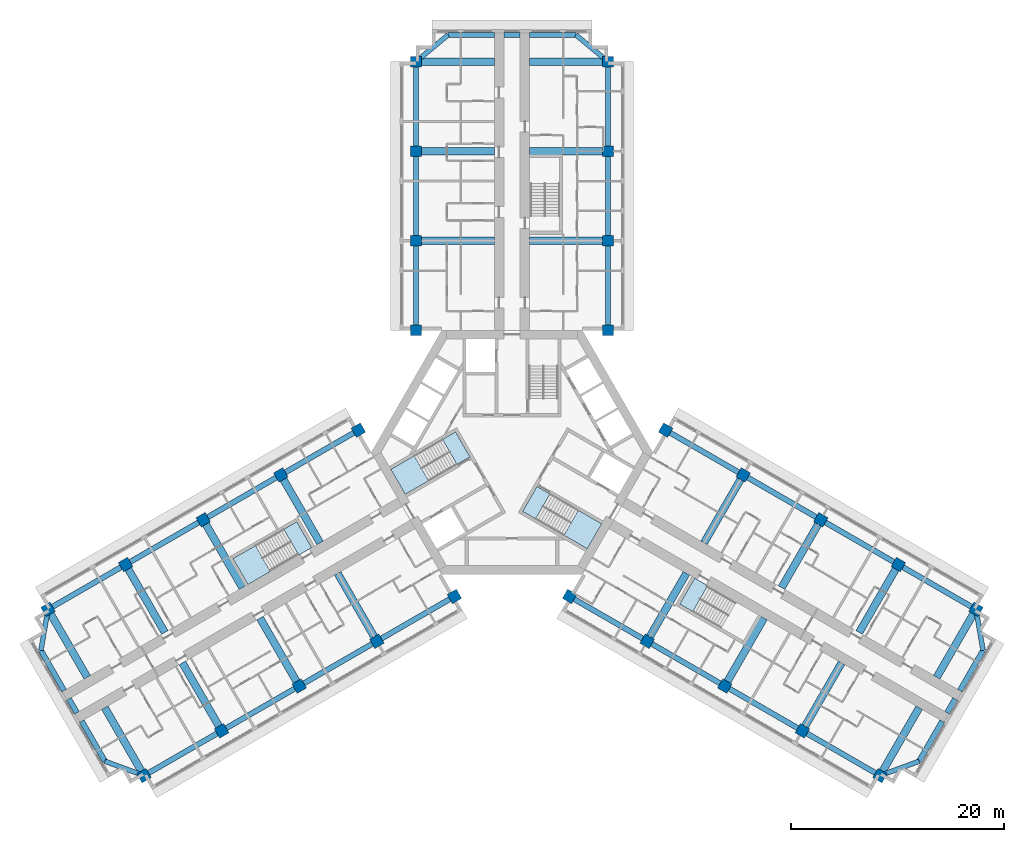
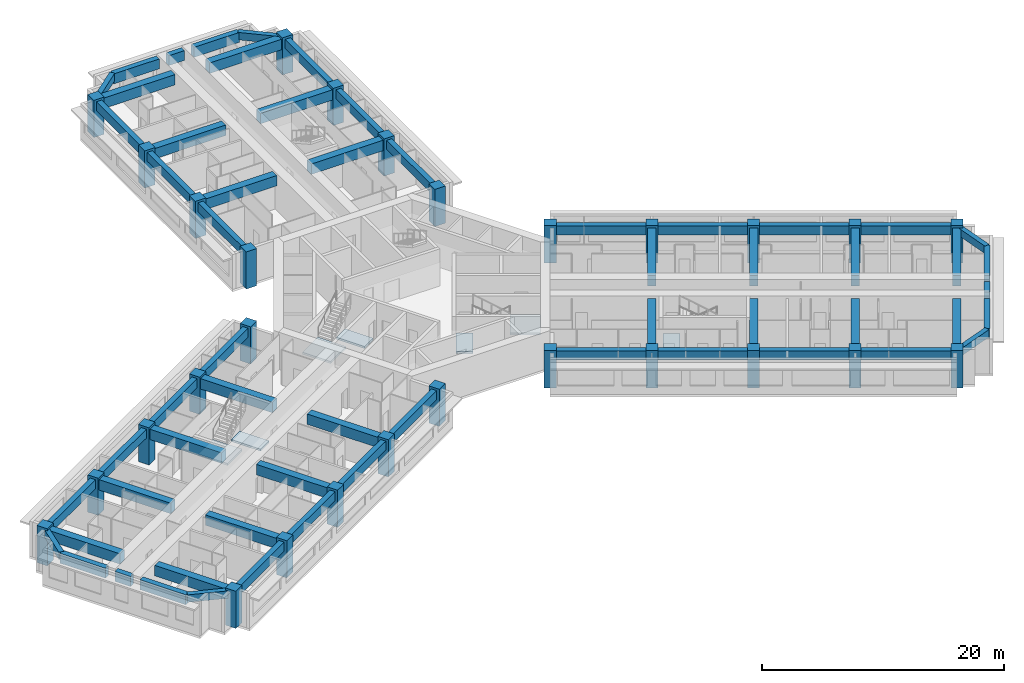
# One storey, part 1 of 15: 59 beams, 28 columns, 7 slabs, 4 elements without a shape of their own.
"""IFC4 building model written with IfcOpenShell, lengths in metres."""

from ifc_helpers import new_model, si_unit, direction, frame, origin, origin_2d, place, context, subcontext, project, spatial, polyline, rectangle, outline, extrude, material, layer, layer_set, material_profile, profile_set, type_object, element, aggregate, save


model = new_model("IFC4")

# Units and contexts
model_context = context("Model", 3, precision=1e-05, world=origin(), true_north=direction((0.0, 1.0)))
body_context = subcontext(model_context, "Body", "Model", "MODEL_VIEW")
ifc_project = project(units=[si_unit("LENGTHUNIT", "METRE"), si_unit("AREAUNIT", "SQUARE_METRE"), si_unit("VOLUMEUNIT", "CUBIC_METRE"), si_unit("PLANEANGLEUNIT", "RADIAN"), si_unit("MASSUNIT", "GRAM", prefix="KILO")], contexts=[model_context])

# Site, building, storey
site_placement = place(None, origin())
site = spatial("IfcSite", under=ifc_project, at=site_placement, CompositionType="ELEMENT")
building_placement = place(site_placement, origin())
building = spatial("IfcBuilding", under=site, at=building_placement, Name="Impinga Residences", CompositionType="ELEMENT")
storey_placement = place(building_placement, frame((0.0, 0.0, 109.75)))
storey = spatial("IfcBuildingStorey", under=building, at=storey_placement, Name="L26", CompositionType="ELEMENT", Elevation=109.75)

# Columns
ifc_material_1 = material(Name="Concrete C60/75", Category="concrete")
ifc_material_profile_1 = material_profile(ifc_material_1, rectangle(XDim=1.0, YDim=1.0, at=origin_2d()), Name="RC 1000x1000")
ifc_profile_set_1 = profile_set([ifc_material_profile_1], Name="Concrete C60/75")
column_type = type_object("IfcColumnType", Name="C3 1000x1000 column", PredefinedType="COLUMN", material=ifc_profile_set_1)
for number, where, z_axis, x_axis, name in (
    (1, (-9.0, 11.431640625, 0.0), (0.0, 0.0, 1.0), (1.0, 0.0, 0.0), "Column C3 N1/NA L26"),
    (2, (9.0, 11.431640625, 0.0), (0.0, 0.0, 1.0), (1.0, 0.0, 0.0), "Column C3 N1/NF L26"),
    (3, (-9.0, 19.83154296875, 0.0), (0.0, 0.0, 1.0), (1.0, 0.0, 0.0), "Column C3 N2/NA L26"),
    (4, (9.0, 19.83154296875, 0.0), (0.0, 0.0, 1.0), (1.0, 0.0, 0.0), "Column C3 N2/NF L26"),
    (5, (-9.0, 28.2314453125, 0.0), (0.0, 0.0, 1.0), (1.0, 0.0, 0.0), "Column C3 N3/NA L26"),
    (6, (9.0, 28.2314453125, 0.0), (0.0, 0.0, 1.0), (1.0, 0.0, 0.0), "Column C3 N3/NF L26"),
    (7, (-9.0, 36.631591796875, 0.0), (0.0, 0.0, 1.0), (1.0, 0.0, 0.0), "Column C3 N4/NA L26"),
    (8, (9.0, 36.631591796875, 0.0), (0.0, 0.0, 1.0), (1.0, 0.0, 0.0), "Column C3 N4/NF L26"),
    (9, (-5.39990234375, -13.510009765625, 0.0), (0.0, 0.0, 1.0), (-0.5, 0.866025403784, 0.0), "Column C3 W1/WA L26"),
    (10, (-14.39990234375, 2.078369140625, 0.0), (0.0, 0.0, 1.0), (-0.5, 0.866025403784, 0.0), "Column C3 W1/WF L26"),
    (11, (-12.674560546875, -17.7099609375, 0.0), (0.0, 0.0, 1.0), (-0.5, 0.866025403784, 0.0), "Column C3 W2/WA L26"),
    (12, (-21.674560546875, -2.12158203125, 0.0), (0.0, 0.0, 1.0), (-0.5, 0.866025403784, 0.0), "Column C3 W2/WF L26"),
    (13, (-19.94921875, -21.909912109375, 0.0), (0.0, 0.0, 1.0), (-0.5, 0.866025403784, 0.0), "Column C3 W3/WA L26"),
    (14, (-28.94921875, -6.321533203125, 0.0), (0.0, 0.0, 1.0), (-0.5, 0.866025403784, 0.0), "Column C3 W3/WF L26"),
    (15, (-27.223876953125, -26.110107421875, 0.0), (0.0, 0.0, 1.0), (-0.5, 0.866025403784, 0.0), "Column C3 W4/WA L26"),
    (16, (-36.223876953125, -10.521484375, 0.0), (0.0, 0.0, 1.0), (-0.5, 0.866025403784, 0.0), "Column C3 W4/WF L26"),
    (17, (-34.49853515625, -30.31005859375, 0.0), (0.0, 0.0, 1.0), (-0.5, 0.866025403784, 0.0), "Column C3 W5/WA L26"),
    (18, (-43.49853515625, -14.721435546875, 0.0), (0.0, 0.0, 1.0), (-0.5, 0.866025403784, 0.0), "Column C3 W5/WF L26"),
    (19, (14.39990234375, 2.078369140625, 0.0), (0.0, 0.0, 1.0), (-0.5, -0.866025403784, 0.0), "Column C3 E1/EA L26"),
    (20, (5.39990234375, -13.510009765625, 0.0), (0.0, 0.0, 1.0), (-0.5, -0.866025403784, 0.0), "Column C3 E1/EF L26"),
    (21, (21.674560546875, -2.12158203125, 0.0), (0.0, 0.0, 1.0), (-0.5, -0.866025403784, 0.0), "Column C3 E2/EA L26"),
    (22, (12.674560546875, -17.7099609375, 0.0), (0.0, 0.0, 1.0), (-0.5, -0.866025403784, 0.0), "Column C3 E2/EF L26"),
    (23, (28.94921875, -6.321533203125, 0.0), (0.0, 0.0, 1.0), (-0.5, -0.866025403784, 0.0), "Column C3 E3/EA L26"),
    (24, (19.94921875, -21.909912109375, 0.0), (0.0, 0.0, 1.0), (-0.5, -0.866025403784, 0.0), "Column C3 E3/EF L26"),
    (25, (36.223876953125, -10.521484375, 0.0), (0.0, 0.0, 1.0), (-0.5, -0.866025403784, 0.0), "Column C3 E4/EA L26"),
    (26, (27.223876953125, -26.110107421875, 0.0), (0.0, 0.0, 1.0), (-0.5, -0.866025403784, 0.0), "Column C3 E4/EF L26"),
    (27, (43.49853515625, -14.721435546875, 0.0), (0.0, 0.0, 1.0), (-0.5, -0.866025403784, 0.0), "Column C3 E5/EA L26"),
    (28, (34.49853515625, -30.31005859375, 0.0), (0.0, 0.0, 1.0), (-0.5, -0.866025403784, 0.0), "Column C3 E5/EF L26"),
):
    element("IfcColumn", number, at=place(storey_placement, frame(where, z_axis=z_axis, x_axis=x_axis)), inside=storey, type_object=column_type, Name=name, PredefinedType="COLUMN", context=body_context, shape_type="SweptSolid", body=[
        extrude(rectangle(XDim=1.0, YDim=1.0, at=origin_2d()), origin(), (0.0, 0.0, 1.0), 3.75),
    ])

# Beams
ifc_material_profile_2 = material_profile(ifc_material_1, rectangle(XDim=0.449951171875, YDim=0.75, at=origin_2d()), Name="RC 450x750")
ifc_profile_set_2 = profile_set([ifc_material_profile_2], Name="Concrete C60/75")
beam_type_1 = type_object("IfcBeamType", Name="CB1 450x750 wing end cantilever beam", PredefinedType="BEAM", material=ifc_profile_set_2)
for number, where, z_axis, x_axis, name in (
    (29, (-9.0, 36.631591796875, 3.155029296875), (0.768221279597, 0.640184399664, 0.0), (-0.640184399664, 0.768221279597, 0.0), "Beam CB1 NB N4-NX level L27"),
    (30, (9.0, 36.631591796875, 3.155029296875), (-0.768221279597, 0.640184399664, 0.0), (-0.640184399664, -0.768221279597, 0.0), "Beam CB1 NE N4-NX level L27"),
    (31, (-34.49853515625, -30.31005859375, 3.155029296875), (-0.938520178725, 0.345224382289, 0.0), (-0.345224382289, -0.938520178725, 0.0), "Beam CB1 WB W5-WX level L27"),
):
    element("IfcBeam", number, at=place(storey_placement, frame(where, z_axis=z_axis, x_axis=x_axis)), inside=storey, type_object=beam_type_1, Name=name, PredefinedType="BEAM", context=body_context, shape_type="SweptSolid", body=[
        extrude(rectangle(XDim=0.449951171875, YDim=0.75, at=origin_2d()), origin(), (0.0, 0.0, 1.0), 3.905029296875),
    ])
for number, where, z_axis, x_axis, name in (
    (32, (-43.49853515625, -14.721435546875, 3.155029296875), (-0.170296298948, -0.985392901621, 0.0), (0.985392901621, -0.170296298948, 0.0), "Beam CB1 WE W5-WX level L27"),
    (33, (43.49853515625, -14.721435546875, 3.155029296875), (0.170296298948, -0.985392901621, 0.0), (0.985392901621, 0.170296298948, 0.0), "Beam CB1 EB E5-EX level L27"),
):
    element("IfcBeam", number, at=place(storey_placement, frame(where, z_axis=z_axis, x_axis=x_axis)), inside=storey, type_object=beam_type_1, Name=name, PredefinedType="BEAM", context=body_context, shape_type="SweptSolid", body=[
        extrude(rectangle(XDim=0.449951171875, YDim=0.75, at=origin_2d()), origin(), (0.0, 0.0, 1.0), 3.9052734375),
    ])
beam_1_placement = place(storey_placement, frame((34.49853515625, -30.31005859375, 3.155029296875), z_axis=(0.938520178725, 0.345224382289, 0.0), x_axis=(-0.345224382289, 0.938520178725, 0.0)))
element("IfcBeam", 34, at=beam_1_placement, inside=storey, type_object=beam_type_1, Name="Beam CB1 EE E5-EX level L27", PredefinedType="BEAM", context=body_context, shape_type="SweptSolid", body=[
    extrude(rectangle(XDim=0.449951171875, YDim=0.75, at=origin_2d()), origin(), (0.0, 0.0, 1.0), 3.905029296875),
])
ifc_material_profile_3 = material_profile(ifc_material_1, rectangle(XDim=0.699951171875, YDim=1.050048828125, at=origin_2d()), Name="RC 700x1050")
ifc_profile_set_3 = profile_set([ifc_material_profile_3], Name="Concrete C60/75")
beam_type_2 = type_object("IfcBeamType", Name="CG1 700x1050 cross girder on a wing bay line", PredefinedType="BEAM", material=ifc_profile_set_3)
for number, where, z_axis, x_axis, name in (
    (35, (-1.64990234375, 19.83154296875, 3.0048828125), (-1.0, 0.0, 0.0), (0.0, -1.0, 0.0), "Beam CG1 N2 NC/NA level L27"),
    (36, (-1.64990234375, 28.2314453125, 3.0048828125), (-1.0, 0.0, 0.0), (0.0, -1.0, 0.0), "Beam CG1 N3 NC/NA level L27"),
    (37, (-1.64990234375, 36.631591796875, 3.0048828125), (-1.0, 0.0, 0.0), (0.0, -1.0, 0.0), "Beam CG1 N4 NC/NA level L27"),
    (38, (1.64990234375, 19.83154296875, 3.0048828125), (1.0, 0.0, 0.0), (0.0, 1.0, 0.0), "Beam CG1 N2 NC/NF level L27"),
    (39, (1.64990234375, 28.2314453125, 3.0048828125), (1.0, 0.0, 0.0), (0.0, 1.0, 0.0), "Beam CG1 N3 NC/NF level L27"),
    (40, (1.64990234375, 36.631591796875, 3.0048828125), (1.0, 0.0, 0.0), (0.0, 1.0, 0.0), "Beam CG1 N4 NC/NF level L27"),
    (41, (-16.349609375, -11.3447265625, 3.0048828125), (0.500008066151, -0.86602074674, 0.0), (0.86602074674, 0.500008066151, 0.0), "Beam CG1 W2 WC/WA level L27"),
    (42, (-23.624267578125, -15.544677734375, 3.0048828125), (0.500008066151, -0.86602074674, 0.0), (0.86602074674, 0.500008066151, 0.0), "Beam CG1 W3 WC/WA level L27"),
    (43, (-30.89892578125, -19.74462890625, 3.0048828125), (0.499993683172, -0.866029050776, 0.0), (0.866029050776, 0.499993683172, 0.0), "Beam CG1 W4 WC/WA level L27"),
):
    element("IfcBeam", number, at=place(storey_placement, frame(where, z_axis=z_axis, x_axis=x_axis)), inside=storey, type_object=beam_type_2, Name=name, PredefinedType="BEAM", context=body_context, shape_type="SweptSolid", body=[
        extrude(rectangle(XDim=0.699951171875, YDim=1.050048828125, at=origin_2d()), origin(), (0.0, 0.0, 1.0), 7.35009765625),
    ])
beam_2_placement = place(storey_placement, frame((-38.17333984375, -23.94482421875, 3.0048828125), z_axis=(0.499983153418, -0.866035129944, 0.0), x_axis=(0.866035129944, 0.499983153418, 0.0)))
element("IfcBeam", 44, at=beam_2_placement, inside=storey, type_object=beam_type_2, Name="Beam CG1 W5 WC/WA level L27", PredefinedType="BEAM", context=body_context, shape_type="SweptSolid", body=[
    extrude(rectangle(XDim=0.699951171875, YDim=1.050048828125, at=origin_2d()), origin(), (0.0, 0.0, 1.0), 7.349853515625),
])
for number, where, z_axis, x_axis, name in (
    (45, (-17.99951171875, -8.48681640625, 3.0048828125), (-0.500008066151, 0.86602074674, 0.0), (-0.86602074674, -0.500008066151, 0.0), "Beam CG1 W2 WC/WF level L27"),
    (46, (-25.274169921875, -12.686767578125, 3.0048828125), (-0.500008066151, 0.86602074674, 0.0), (-0.86602074674, -0.500008066151, 0.0), "Beam CG1 W3 WC/WF level L27"),
    (47, (-32.548828125, -16.88671875, 3.0048828125), (-0.500008066151, 0.86602074674, 0.0), (-0.86602074674, -0.500008066151, 0.0), "Beam CG1 W4 WC/WF level L27"),
    (48, (-39.823486328125, -21.0869140625, 3.0048828125), (-0.499993683172, 0.866029050776, 0.0), (-0.866029050776, -0.499993683172, 0.0), "Beam CG1 W5 WC/WF level L27"),
    (49, (17.99951171875, -8.48681640625, 3.0048828125), (0.500008066151, 0.86602074674, 0.0), (-0.86602074674, 0.500008066151, 0.0), "Beam CG1 E2 EC/EA level L27"),
    (50, (25.274169921875, -12.686767578125, 3.0048828125), (0.500008066151, 0.86602074674, 0.0), (-0.86602074674, 0.500008066151, 0.0), "Beam CG1 E3 EC/EA level L27"),
    (51, (32.548828125, -16.88671875, 3.0048828125), (0.500008066151, 0.86602074674, 0.0), (-0.86602074674, 0.500008066151, 0.0), "Beam CG1 E4 EC/EA level L27"),
    (52, (39.823486328125, -21.0869140625, 3.0048828125), (0.499993683172, 0.866029050776, 0.0), (-0.866029050776, 0.499993683172, 0.0), "Beam CG1 E5 EC/EA level L27"),
    (53, (16.349609375, -11.3447265625, 3.0048828125), (-0.500008066151, -0.86602074674, 0.0), (0.86602074674, -0.500008066151, 0.0), "Beam CG1 E2 EC/EF level L27"),
    (54, (23.624267578125, -15.544677734375, 3.0048828125), (-0.500008066151, -0.86602074674, 0.0), (0.86602074674, -0.500008066151, 0.0), "Beam CG1 E3 EC/EF level L27"),
    (55, (30.89892578125, -19.74462890625, 3.0048828125), (-0.499993683172, -0.866029050776, 0.0), (0.866029050776, -0.499993683172, 0.0), "Beam CG1 E4 EC/EF level L27"),
):
    element("IfcBeam", number, at=place(storey_placement, frame(where, z_axis=z_axis, x_axis=x_axis)), inside=storey, type_object=beam_type_2, Name=name, PredefinedType="BEAM", context=body_context, shape_type="SweptSolid", body=[
        extrude(rectangle(XDim=0.699951171875, YDim=1.050048828125, at=origin_2d()), origin(), (0.0, 0.0, 1.0), 7.35009765625),
    ])
beam_3_placement = place(storey_placement, frame((38.17333984375, -23.94482421875, 3.0048828125), z_axis=(-0.499983153418, -0.866035129944, 0.0), x_axis=(0.866035129944, -0.499983153418, 0.0)))
element("IfcBeam", 56, at=beam_3_placement, inside=storey, type_object=beam_type_2, Name="Beam CG1 E5 EC/EF level L27", PredefinedType="BEAM", context=body_context, shape_type="SweptSolid", body=[
    extrude(rectangle(XDim=0.699951171875, YDim=1.050048828125, at=origin_2d()), origin(), (0.0, 0.0, 1.0), 7.349853515625),
])
ifc_material_profile_4 = material_profile(ifc_material_1, rectangle(XDim=0.5, YDim=1.0, at=origin_2d()), Name="RC 500x1000")
ifc_profile_set_4 = profile_set([ifc_material_profile_4], Name="Concrete C60/75")
beam_type_3 = type_object("IfcBeamType", Name="EB1 500x1000 wing end beam", PredefinedType="BEAM", material=ifc_profile_set_4)
beam_4_placement = place(storey_placement, frame((-6.0, 39.131591796875, 3.030029296875), z_axis=(1.0, 0.0, 0.0), x_axis=(0.0, 1.0, 0.0)))
element("IfcBeam", 57, at=beam_4_placement, inside=storey, type_object=beam_type_3, Name="Beam EB1 NX3 level L27", PredefinedType="BEAM", context=body_context, shape_type="SweptSolid", body=[
    extrude(rectangle(XDim=0.5, YDim=1.0, at=origin_2d()), origin(), (0.0, 0.0, 1.0), 4.35009765625),
])
beam_5_placement = place(storey_placement, frame((-0.75, 39.131591796875, 3.030029296875), z_axis=(1.0, 0.0, 0.0), x_axis=(0.0, 1.0, 0.0)))
element("IfcBeam", 58, at=beam_5_placement, inside=storey, type_object=beam_type_3, Name="Beam EB1 NX3 level L27", PredefinedType="BEAM", context=body_context, shape_type="SweptSolid", body=[
    extrude(rectangle(XDim=0.5, YDim=1.0, at=origin_2d()), origin(), (0.0, 0.0, 1.0), 1.5),
])
beam_6_placement = place(storey_placement, frame((1.64990234375, 39.131591796875, 3.030029296875), z_axis=(1.0, 0.0, 0.0), x_axis=(0.0, 1.0, 0.0)))
element("IfcBeam", 59, at=beam_6_placement, inside=storey, type_object=beam_type_3, Name="Beam EB1 NX3 level L27", PredefinedType="BEAM", context=body_context, shape_type="SweptSolid", body=[
    extrude(rectangle(XDim=0.5, YDim=1.0, at=origin_2d()), origin(), (0.0, 0.0, 1.0), 4.35009765625),
])
beam_7_placement = place(storey_placement, frame((-38.16357421875, -28.9619140625, 3.030029296875), z_axis=(-0.500020430026, 0.866013608182, 0.0), x_axis=(-0.866013608182, -0.500020430026, 0.0)))
element("IfcBeam", 60, at=beam_7_placement, inside=storey, type_object=beam_type_3, Name="Beam EB1 WX4 level L27", PredefinedType="BEAM", context=body_context, shape_type="SweptSolid", body=[
    extrude(rectangle(XDim=0.5, YDim=1.0, at=origin_2d()), origin(), (0.0, 0.0, 1.0), 4.349853515625),
])
beam_8_placement = place(storey_placement, frame((-40.78857421875, -24.415283203125, 3.030029296875), z_axis=(-0.499990139034, 0.866031096941, 0.0), x_axis=(-0.866031096941, -0.499990139034, 0.0)))
element("IfcBeam", 61, at=beam_8_placement, inside=storey, type_object=beam_type_3, Name="Beam EB1 WX4 level L27", PredefinedType="BEAM", context=body_context, shape_type="SweptSolid", body=[
    extrude(rectangle(XDim=0.5, YDim=1.0, at=origin_2d()), origin(), (0.0, 0.0, 1.0), 1.5),
])
for number, where, z_axis, x_axis, name in (
    (62, (-41.988525390625, -22.3369140625, 3.030029296875), (-0.499996127374, 0.866027639635, 0.0), (-0.866027639635, -0.499996127374, 0.0), "Beam EB1 WX4 level L27"),
    (63, (44.16357421875, -18.569580078125, 3.030029296875), (-0.499996127374, -0.866027639635, 0.0), (0.866027639635, -0.499996127374, 0.0), "Beam EB1 EX4 level L27"),
):
    element("IfcBeam", number, at=place(storey_placement, frame(where, z_axis=z_axis, x_axis=x_axis)), inside=storey, type_object=beam_type_3, Name=name, PredefinedType="BEAM", context=body_context, shape_type="SweptSolid", body=[
        extrude(rectangle(XDim=0.5, YDim=1.0, at=origin_2d()), origin(), (0.0, 0.0, 1.0), 4.35009765625),
    ])
beam_9_placement = place(storey_placement, frame((41.53857421875, -23.1162109375, 3.030029296875), z_axis=(-0.499990139034, -0.866031096941, 0.0), x_axis=(0.866031096941, -0.499990139034, 0.0)))
element("IfcBeam", 64, at=beam_9_placement, inside=storey, type_object=beam_type_3, Name="Beam EB1 EX4 level L27", PredefinedType="BEAM", context=body_context, shape_type="SweptSolid", body=[
    extrude(rectangle(XDim=0.5, YDim=1.0, at=origin_2d()), origin(), (0.0, 0.0, 1.0), 1.5),
])
beam_10_placement = place(storey_placement, frame((40.338623046875, -25.19482421875, 3.030029296875), z_axis=(-0.500020430026, -0.866013608182, 0.0), x_axis=(0.866013608182, -0.500020430026, 0.0)))
element("IfcBeam", 65, at=beam_10_placement, inside=storey, type_object=beam_type_3, Name="Beam EB1 EX4 level L27", PredefinedType="BEAM", context=body_context, shape_type="SweptSolid", body=[
    extrude(rectangle(XDim=0.5, YDim=1.0, at=origin_2d()), origin(), (0.0, 0.0, 1.0), 4.349853515625),
])
ifc_material_profile_5 = material_profile(ifc_material_1, rectangle(XDim=0.5, YDim=0.89990234375, at=origin_2d()), Name="RC 500x900")
ifc_profile_set_5 = profile_set([ifc_material_profile_5], Name="Concrete C60/75")
beam_type_4 = type_object("IfcBeamType", Name="SB1 500x900 perimeter spandrel beam", PredefinedType="SPANDREL", material=ifc_profile_set_5)
for number, where, z_axis, x_axis, name in (
    (66, (-9.0, 11.431640625, 3.080078125), (0.0, 1.0, 0.0), (-1.0, 0.0, 0.0), "Beam SB1 NA N1-N2 level L27"),
    (67, (-9.0, 19.83154296875, 3.080078125), (0.0, 1.0, 0.0), (-1.0, 0.0, 0.0), "Beam SB1 NA N2-N3 level L27"),
):
    element("IfcBeam", number, at=place(storey_placement, frame(where, z_axis=z_axis, x_axis=x_axis)), inside=storey, type_object=beam_type_4, Name=name, PredefinedType="SPANDREL", context=body_context, shape_type="SweptSolid", body=[
        extrude(rectangle(XDim=0.5, YDim=0.89990234375, at=origin_2d()), origin(), (0.0, 0.0, 1.0), 8.39990234375),
    ])
beam_11_placement = place(storey_placement, frame((-9.0, 28.2314453125, 3.080078125), z_axis=(0.0, 1.0, 0.0), x_axis=(-1.0, 0.0, 0.0)))
element("IfcBeam", 68, at=beam_11_placement, inside=storey, type_object=beam_type_4, Name="Beam SB1 NA N3-N4 level L27", PredefinedType="SPANDREL", context=body_context, shape_type="SweptSolid", body=[
    extrude(rectangle(XDim=0.5, YDim=0.89990234375, at=origin_2d()), origin(), (0.0, 0.0, 1.0), 8.400146484375),
])
for number, where, z_axis, x_axis, name in (
    (69, (9.0, 11.431640625, 3.080078125), (0.0, 1.0, 0.0), (-1.0, 0.0, 0.0), "Beam SB1 NF N1-N2 level L27"),
    (70, (9.0, 19.83154296875, 3.080078125), (0.0, 1.0, 0.0), (-1.0, 0.0, 0.0), "Beam SB1 NF N2-N3 level L27"),
):
    element("IfcBeam", number, at=place(storey_placement, frame(where, z_axis=z_axis, x_axis=x_axis)), inside=storey, type_object=beam_type_4, Name=name, PredefinedType="SPANDREL", context=body_context, shape_type="SweptSolid", body=[
        extrude(rectangle(XDim=0.5, YDim=0.89990234375, at=origin_2d()), origin(), (0.0, 0.0, 1.0), 8.39990234375),
    ])
beam_12_placement = place(storey_placement, frame((9.0, 28.2314453125, 3.080078125), z_axis=(0.0, 1.0, 0.0), x_axis=(-1.0, 0.0, 0.0)))
element("IfcBeam", 71, at=beam_12_placement, inside=storey, type_object=beam_type_4, Name="Beam SB1 NF N3-N4 level L27", PredefinedType="SPANDREL", context=body_context, shape_type="SweptSolid", body=[
    extrude(rectangle(XDim=0.5, YDim=0.89990234375, at=origin_2d()), origin(), (0.0, 0.0, 1.0), 8.400146484375),
])
for number, where, z_axis, x_axis, name in (
    (72, (-5.39990234375, -13.510009765625, 3.080078125), (-0.86602925447, -0.499993330357, 0.0), (0.499993330357, -0.86602925447, 0.0), "Beam SB1 WA W1-W2 level L27"),
    (73, (-12.674560546875, -17.7099609375, 3.080078125), (-0.86602925447, -0.499993330357, 0.0), (0.499993330357, -0.86602925447, 0.0), "Beam SB1 WA W2-W3 level L27"),
):
    element("IfcBeam", number, at=place(storey_placement, frame(where, z_axis=z_axis, x_axis=x_axis)), inside=storey, type_object=beam_type_4, Name=name, PredefinedType="SPANDREL", context=body_context, shape_type="SweptSolid", body=[
        extrude(rectangle(XDim=0.5, YDim=0.89990234375, at=origin_2d()), origin(), (0.0, 0.0, 1.0), 8.39990234375),
    ])
beam_13_placement = place(storey_placement, frame((-19.94921875, -21.909912109375, 3.080078125), z_axis=(-0.866016669275, -0.500015128309, 0.0), x_axis=(0.500015128309, -0.866016669275, 0.0)))
element("IfcBeam", 74, at=beam_13_placement, inside=storey, type_object=beam_type_4, Name="Beam SB1 WA W3-W4 level L27", PredefinedType="SPANDREL", context=body_context, shape_type="SweptSolid", body=[
    extrude(rectangle(XDim=0.5, YDim=0.89990234375, at=origin_2d()), origin(), (0.0, 0.0, 1.0), 8.400146484375),
])
for number, where, z_axis, x_axis, name in (
    (75, (-27.223876953125, -26.110107421875, 3.080078125), (-0.86602925447, -0.499993330357, 0.0), (0.499993330357, -0.86602925447, 0.0), "Beam SB1 WA W4-W5 level L27"),
    (76, (-14.39990234375, 2.078369140625, 3.080078125), (-0.86602925447, -0.499993330357, 0.0), (0.499993330357, -0.86602925447, 0.0), "Beam SB1 WF W1-W2 level L27"),
    (77, (-21.674560546875, -2.12158203125, 3.080078125), (-0.86602925447, -0.499993330357, 0.0), (0.499993330357, -0.86602925447, 0.0), "Beam SB1 WF W2-W3 level L27"),
    (78, (-28.94921875, -6.321533203125, 3.080078125), (-0.86602925447, -0.499993330357, 0.0), (0.499993330357, -0.86602925447, 0.0), "Beam SB1 WF W3-W4 level L27"),
    (79, (-36.223876953125, -10.521484375, 3.080078125), (-0.86602925447, -0.499993330357, 0.0), (0.499993330357, -0.86602925447, 0.0), "Beam SB1 WF W4-W5 level L27"),
    (80, (14.39990234375, 2.078369140625, 3.080078125), (0.86602925447, -0.499993330357, 0.0), (0.499993330357, 0.86602925447, 0.0), "Beam SB1 EA E1-E2 level L27"),
    (81, (21.674560546875, -2.12158203125, 3.080078125), (0.86602925447, -0.499993330357, 0.0), (0.499993330357, 0.86602925447, 0.0), "Beam SB1 EA E2-E3 level L27"),
    (82, (28.94921875, -6.321533203125, 3.080078125), (0.86602925447, -0.499993330357, 0.0), (0.499993330357, 0.86602925447, 0.0), "Beam SB1 EA E3-E4 level L27"),
    (83, (36.223876953125, -10.521484375, 3.080078125), (0.86602925447, -0.499993330357, 0.0), (0.499993330357, 0.86602925447, 0.0), "Beam SB1 EA E4-E5 level L27"),
    (84, (5.39990234375, -13.510009765625, 3.080078125), (0.86602925447, -0.499993330357, 0.0), (0.499993330357, 0.86602925447, 0.0), "Beam SB1 EF E1-E2 level L27"),
    (85, (12.674560546875, -17.7099609375, 3.080078125), (0.86602925447, -0.499993330357, 0.0), (0.499993330357, 0.86602925447, 0.0), "Beam SB1 EF E2-E3 level L27"),
):
    element("IfcBeam", number, at=place(storey_placement, frame(where, z_axis=z_axis, x_axis=x_axis)), inside=storey, type_object=beam_type_4, Name=name, PredefinedType="SPANDREL", context=body_context, shape_type="SweptSolid", body=[
        extrude(rectangle(XDim=0.5, YDim=0.89990234375, at=origin_2d()), origin(), (0.0, 0.0, 1.0), 8.39990234375),
    ])
beam_14_placement = place(storey_placement, frame((19.94921875, -21.909912109375, 3.080078125), z_axis=(0.866016669275, -0.500015128309, 0.0), x_axis=(0.500015128309, 0.866016669275, 0.0)))
element("IfcBeam", 86, at=beam_14_placement, inside=storey, type_object=beam_type_4, Name="Beam SB1 EF E3-E4 level L27", PredefinedType="SPANDREL", context=body_context, shape_type="SweptSolid", body=[
    extrude(rectangle(XDim=0.5, YDim=0.89990234375, at=origin_2d()), origin(), (0.0, 0.0, 1.0), 8.400146484375),
])
beam_15_placement = place(storey_placement, frame((27.223876953125, -26.110107421875, 3.080078125), z_axis=(0.86602925447, -0.499993330357, 0.0), x_axis=(0.499993330357, 0.86602925447, 0.0)))
element("IfcBeam", 87, at=beam_15_placement, inside=storey, type_object=beam_type_4, Name="Beam SB1 EF E4-E5 level L27", PredefinedType="SPANDREL", context=body_context, shape_type="SweptSolid", body=[
    extrude(rectangle(XDim=0.5, YDim=0.89990234375, at=origin_2d()), origin(), (0.0, 0.0, 1.0), 8.39990234375),
])

# Stair, slabs
ifc_material_2 = material(Name="Concrete C40/50", Category="concrete")
stair_type_1 = type_object("IfcStairType", Name="STR core stair 3750 storey, 24 risers", PredefinedType="HALF_TURN_STAIR", material=ifc_material_2)
stair_1_placement = place(storey_placement, origin())
stair_1 = element("IfcStair", 88, at=stair_1_placement, inside=storey, type_object=stair_type_1, Name="Stair ST2 L26", PredefinedType="HALF_TURN_STAIR")
ifc_layer = layer(ifc_material_2, 0.199951171875)
ifc_layer_set = layer_set([ifc_layer], Name="Concrete C40/50")
slab_type = type_object("IfcSlabType", Name="LS1 stair landing 200", PredefinedType="LANDING", material=ifc_layer_set)
slab_1_placement = place(storey_placement, frame((0.0, 0.0, -0.199951171875)))
slab_1 = element("IfcSlab", 89, at=slab_1_placement, type_object=slab_type, Name="ST2 landing 1", PredefinedType="LANDING", context=body_context, shape_type="SweptSolid", body=[
    extrude(outline(polyline([(-3.943603515625, -0.429443359375), (-5.293701171875, 1.908935546875), (-6.5146484375, 1.203857421875), (-5.164794921875, -1.13427734375), (-3.943603515625, -0.429443359375)])), origin(), (0.0, 0.0, 1.0), 0.199951171875),
])
slab_2_placement = place(storey_placement, frame((0.0, 0.0, 1.675048828125)))
slab_2 = element("IfcSlab", 90, at=slab_2_placement, type_object=slab_type, Name="ST2 landing 2", PredefinedType="LANDING", context=body_context, shape_type="SweptSolid", body=[
    extrude(outline(polyline([(-7.814697265625, -2.664306640625), (-9.164794921875, -0.326171875), (-11.357177734375, -1.591796875), (-10.007080078125, -3.93017578125), (-7.814697265625, -2.664306640625)])), origin(), (0.0, 0.0, 1.0), 0.199951171875),
])
aggregate(stair_1, [slab_1, slab_2])

stair_2_placement = place(storey_placement, origin())
stair_2 = element("IfcStair", 91, at=stair_2_placement, inside=storey, type_object=stair_type_1, Name="Stair ST3 L26", PredefinedType="HALF_TURN_STAIR")
slab_3_placement = place(storey_placement, frame((0.0, 0.0, -0.199951171875)))
slab_3 = element("IfcSlab", 92, at=slab_3_placement, type_object=slab_type, Name="ST3 landing 1", PredefinedType="LANDING", context=body_context, shape_type="SweptSolid", body=[
    extrude(outline(polyline([(2.34375, -3.20068359375), (0.99365234375, -5.538818359375), (2.21484375, -6.243896484375), (3.564697265625, -3.90576171875), (2.34375, -3.20068359375)])), origin(), (0.0, 0.0, 1.0), 0.199951171875),
])
slab_4_placement = place(storey_placement, frame((0.0, 0.0, 1.675048828125)))
slab_4 = element("IfcSlab", 93, at=slab_4_placement, type_object=slab_type, Name="ST3 landing 2", PredefinedType="LANDING", context=body_context, shape_type="SweptSolid", body=[
    extrude(outline(polyline([(6.21484375, -5.435546875), (4.86474609375, -7.77392578125), (7.05712890625, -9.039794921875), (8.4072265625, -6.701416015625), (6.21484375, -5.435546875)])), origin(), (0.0, 0.0, 1.0), 0.199951171875),
])
aggregate(stair_2, [slab_3, slab_4])

stair_type_2 = type_object("IfcStairType", Name="STR wing stair 3750 storey, 24 risers", PredefinedType="HALF_TURN_STAIR", material=ifc_material_2)
stair_3_placement = place(storey_placement, origin())
stair_3 = element("IfcStair", 94, at=stair_3_placement, inside=storey, type_object=stair_type_2, Name="Stair WS2 L26", PredefinedType="HALF_TURN_STAIR")
slab_5_placement = place(storey_placement, frame((0.0, 0.0, -0.199951171875)))
slab_5 = element("IfcSlab", 95, at=slab_5_placement, type_object=slab_type, Name="WS2 landing 1", PredefinedType="LANDING", context=body_context, shape_type="SweptSolid", body=[
    extrude(outline(polyline([(-18.779052734375, -8.936767578125), (-20.178955078125, -6.511962890625), (-21.400146484375, -7.217041015625), (-20.000244140625, -9.641845703125), (-18.779052734375, -8.936767578125)])), origin(), (0.0, 0.0, 1.0), 0.199951171875),
])
slab_6_placement = place(storey_placement, frame((0.0, 0.0, 1.675048828125)))
slab_6 = element("IfcSlab", 96, at=slab_6_placement, type_object=slab_type, Name="WS2 landing 2", PredefinedType="LANDING", context=body_context, shape_type="SweptSolid", body=[
    extrude(outline(polyline([(-22.650146484375, -11.171875), (-24.050048828125, -8.7470703125), (-26.154541015625, -9.9619140625), (-24.754638671875, -12.38671875), (-22.650146484375, -11.171875)])), origin(), (0.0, 0.0, 1.0), 0.199951171875),
])
aggregate(stair_3, [slab_5, slab_6])

# Stair, slab
stair_4_placement = place(storey_placement, origin())
stair_4 = element("IfcStair", 97, at=stair_4_placement, inside=storey, type_object=stair_type_2, Name="Stair WS3 L26", PredefinedType="HALF_TURN_STAIR")
slab_7_placement = place(storey_placement, frame((0.0, 0.0, -0.199951171875)))
slab_7 = element("IfcSlab", 98, at=slab_7_placement, type_object=slab_type, Name="WS3 landing 1", PredefinedType="LANDING", context=body_context, shape_type="SweptSolid", body=[
    extrude(outline(polyline([(17.129150390625, -11.794677734375), (15.72900390625, -14.219482421875), (16.9501953125, -14.924560546875), (18.35009765625, -12.499755859375), (17.129150390625, -11.794677734375)])), origin(), (0.0, 0.0, 1.0), 0.199951171875),
])
aggregate(stair_4, [slab_7])

save(model, "model.ifc")
